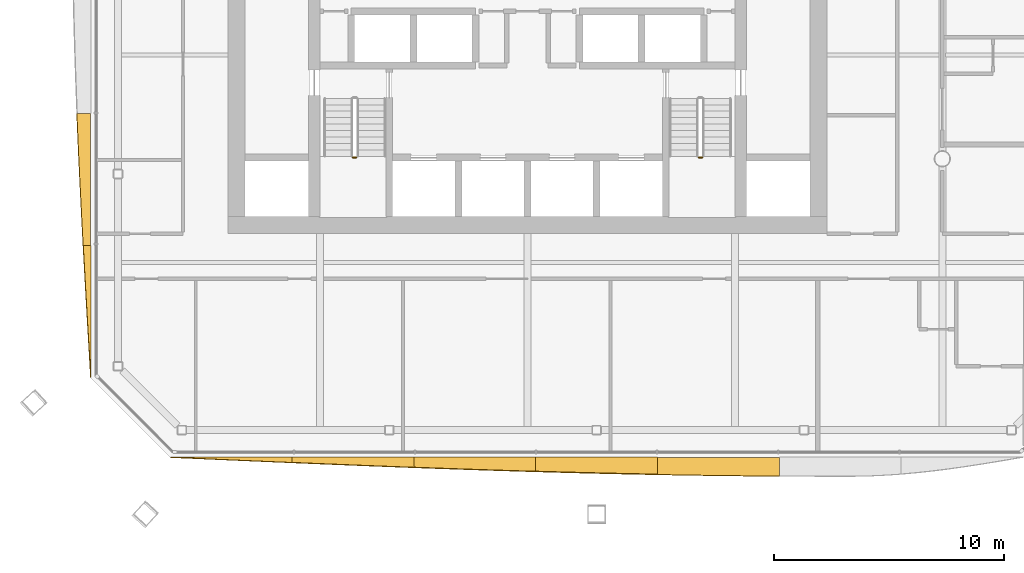
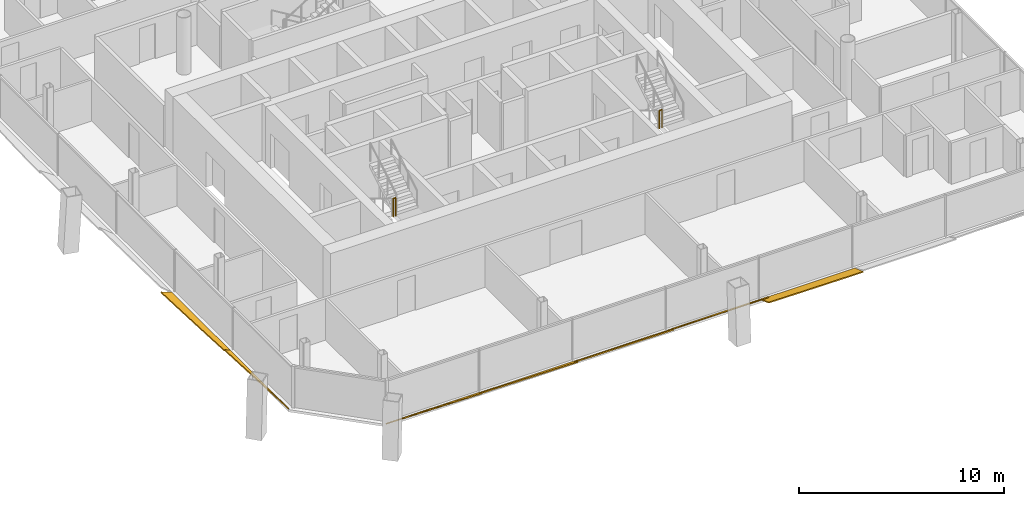
# One storey, part 15 of 17: 7 shading devices, 2 railings.
"""IFC4 building model written with IfcOpenShell, lengths in metres."""

from ifc_helpers import new_model, si_unit, direction, frame, origin, origin_2d, place, context, subcontext, project, spatial, polyline, circle, outline, extrude, material, layer, layer_set, type_object, element, save


model = new_model("IFC4")

# Units and contexts
model_context = context("Model", 3, precision=1e-05, world=origin(), true_north=direction((0.0, 1.0)))
body_context = subcontext(model_context, "Body", "Model", "MODEL_VIEW")
ifc_project = project(units=[si_unit("LENGTHUNIT", "METRE"), si_unit("AREAUNIT", "SQUARE_METRE"), si_unit("VOLUMEUNIT", "CUBIC_METRE"), si_unit("PLANEANGLEUNIT", "RADIAN"), si_unit("MASSUNIT", "GRAM", prefix="KILO")], contexts=[model_context])

# Site, building, storey
site_placement = place(None, origin())
site = spatial("IfcSite", under=ifc_project, at=site_placement, CompositionType="ELEMENT")
building_placement = place(site_placement, origin())
building = spatial("IfcBuilding", under=site, at=building_placement, Name="Tskaro Facet Tower", CompositionType="ELEMENT")
storey_placement = place(building_placement, frame((0.0, 0.0, 158.89990234375)))
storey = spatial("IfcBuildingStorey", under=building, at=storey_placement, Name="L39", CompositionType="ELEMENT", Elevation=158.89990234375)

# Shading devices
ifc_material_1 = material(Name="Bronze anodised aluminium 6063-T6", Category="aluminium")
ifc_layer = layer(ifc_material_1, 0.06005859375, Name="Bronze anodised aluminium 6063-T6")
ifc_layer_set = layer_set([ifc_layer], Name="Bronze anodised aluminium 6063-T6")
shading_device_type = type_object("IfcShadingDeviceType", Name="Bronze sun blade (FN1)", PredefinedType="USERDEFINED", material=ifc_layer_set)
shading_device_1_placement = place(storey_placement, frame((-15.49609375, -21.94873046875, 0.054443359375), z_axis=(6.086756e-06, 0.422944262667, 0.906155698895), x_axis=(0.999999999981, -2.574358e-06, -5.515548e-06)))
element("IfcShadingDevice", 1, at=shading_device_1_placement, inside=storey, type_object=shading_device_type, Name="Fin blade south 1", ObjectType="FIN", PredefinedType="USERDEFINED", context=body_context, shape_type="SweptSolid", body=[
    extrude(outline(polyline([(0.0, 0.0), (5.284667968652105, 2.2381439424153546e-21), (5.284667968842215, -0.2540528075319362), (4.624023438041074, -0.2230354990457778), (3.963623046607916, -0.19157573172226006), (3.3029785158963323, -0.16001270652211275), (2.6423339845562435, -0.12822845190328575), (1.9816894532161546, -0.09644419728445876), (1.3212890618725557, -0.06443871324695212), (0.6606445306220251, -0.032108741914136235), (0.0, 0.0)])), origin(), (0.0, 0.0, -1.0), 0.06005859375),
])
shading_device_2_placement = place(storey_placement, frame((-10.21142578125, -21.944091796875, 0.052001953125), z_axis=(-1.413503e-06, 0.500243784744, 0.865884608838), x_axis=(0.999999999999, 7.07096e-07, 1.223931e-06)))
element("IfcShadingDevice", 2, at=shading_device_2_placement, inside=storey, type_object=shading_device_type, Name="Fin blade south 2", ObjectType="FIN", PredefinedType="USERDEFINED", context=body_context, shape_type="SweptSolid", body=[
    extrude(outline(polyline([(0.0, 0.0), (5.284667968744721, 0.0), (5.284667968792844, -0.5109224008408205), (4.624023437521994, -0.4821541846783407), (3.963378906297597, -0.45284104346644133), (3.302734374820839, -0.4228608473748624), (2.642333984486973, -0.39224645845454403), (1.9816894529304852, -0.36138780987370567), (1.32104492189189, -0.32989496846412786), (0.6606445313521142, -0.2980685996147103), (6.115843968596905e-11, -0.2659087033254529), (0.0, 0.0)])), origin(), (0.0, 0.0, -1.0), 0.06005859375),
])
shading_device_3_placement = place(storey_placement, frame((-4.9267578125, -21.939697265625, 0.04931640625), z_axis=(1.4800674e-05, 0.573614610376, 0.81912531309), x_axis=(0.99999999989, -8.489883e-06, -1.2123606e-05)))
element("IfcShadingDevice", 3, at=shading_device_3_placement, inside=storey, type_object=shading_device_type, Name="Fin blade south 3", ObjectType="FIN", PredefinedType="USERDEFINED", context=body_context, shape_type="SweptSolid", body=[
    extrude(outline(polyline([(0.0, 0.0), (5.284423827546197, 4.476081089677571e-21), (5.284423829330193, -0.7560694501160357), (4.62377929601424, -0.7320285398249957), (3.963378905984678, -0.7069675563477122), (3.3027343741445576, -0.6813665667091012), (2.6420898428931303, -0.6545455221183335), (1.9816894540409562, -0.6270444287367366), (1.3210449213054976, -0.5988033474278993), (0.6604003903443181, -0.5698822173282329), (-2.9033425225711066e-10, -0.5400810566718243), (0.0, 0.0)])), origin(), (0.0, 0.0, -1.0), 0.06005859375),
])
shading_device_4_placement = place(storey_placement, frame((0.357666015625, -21.935546875, 0.046142578125), z_axis=(-3.291237e-06, 0.642793437249, 0.766039553168), x_axis=(0.999999999995, 2.115586e-06, 2.521218e-06)))
element("IfcShadingDevice", 4, at=shading_device_4_placement, inside=storey, type_object=shading_device_type, Name="Fin blade south 4", ObjectType="FIN", PredefinedType="USERDEFINED", context=body_context, shape_type="SweptSolid", body=[
    extrude(outline(polyline([(0.0, 0.0), (5.284667968721378, -1.1190719712076773e-21), (5.284667968915553, -0.975286762591078), (4.624023437443757, -0.9586566434494537), (3.963378906092337, -0.9404636894653308), (3.3029785156843525, -0.9213958073723156), (2.6423339842552447, -0.9009521118120882), (1.9816894530455433, -0.8792895347761653), (1.321289062262778, -0.8569390510066364), (0.6606445315909207, -0.8331826643861258), (1.0546935535980265e-10, -0.8085814390404922), (0.0, 0.0)])), origin(), (0.0, 0.0, -1.0), 0.06005859375),
])
shading_device_5_placement = place(storey_placement, frame((5.642333984375, -21.953369140625, 0.056396484375), z_axis=(-1.5491146e-05, 0.342066403789, 0.939675781937), x_axis=(0.99999999988, 5.299e-06, 1.4556654e-05)))
element("IfcShadingDevice", 5, at=shading_device_5_placement, inside=storey, type_object=shading_device_type, Name="Fin blade south 5", ObjectType="FIN", PredefinedType="USERDEFINED", context=body_context, shape_type="SweptSolid", body=[
    extrude(outline(polyline([(0.0, 0.0), (5.284423827490934, 0.0), (5.284423829001869, -0.8683328313162545), (4.624023437192871, -0.8628470591840072), (3.963378906379836, -0.8563601226152295), (3.302734373633865, -0.8487885093042985), (2.642333983133799, -0.8402157315568372), (1.981689453629697, -0.8306417893728453), (1.3210449221926586, -0.8199831704467004), (0.6606445307413559, -0.8080104617456753), (-1.0076843488666097e-09, -0.7952660016408467), (0.0, 0.0)])), origin(), (0.0, 0.0, -1.0), 0.06005859375),
])
shading_device_6_placement = place(storey_placement, frame((-18.953369140625, -7.042236328125, 0.056396484375), z_axis=(0.342071356684, -6.441709e-06, 0.939673979045), x_axis=(-2.203524e-06, -0.999999999979, -6.053106e-06)))
element("IfcShadingDevice", 6, at=shading_device_6_placement, inside=storey, type_object=shading_device_type, Name="Fin blade west 5", ObjectType="FIN", PredefinedType="USERDEFINED", context=body_context, shape_type="SweptSolid", body=[
    extrude(outline(polyline([(0.0, 0.0), (5.727050781131176, 0.0), (5.727050781241653, -0.3476251305413315), (5.010986328357639, -0.3884031779154939), (4.295166014886582, -0.42795064881211353), (3.5793457036970726, -0.4663299287941012), (2.863525389817714, -0.5035621458133633), (2.1477050782199045, -0.5396261719179934), (1.4318847663498948, -0.5741466954377185), (0.7160644527298754, -0.6072072298873556), (-3.095299514254893e-10, -0.6386407482372706), (0.0, 0.0)])), origin(), (0.0, 0.0, -1.0), 0.06005859375),
])
shading_device_7_placement = place(storey_placement, frame((-18.94873046875, -12.769287109375, 0.054443359375), z_axis=(0.423059243023, 2.726799e-05, 0.906102023036), x_axis=(1.1535975e-05, -0.999999999628, 2.4707581e-05)))
element("IfcShadingDevice", 7, at=shading_device_7_placement, inside=storey, type_object=shading_device_type, Name="Fin blade west 6", ObjectType="FIN", PredefinedType="USERDEFINED", context=body_context, shape_type="SweptSolid", body=[
    extrude(outline(polyline([(0.0, 0.0), (5.726806638495936, 0.0), (5.010742183786253, -0.046312081902952024), (4.2949218725178815, -0.09240294749160412), (3.5791015640659087, -0.1382725967659563), (2.8632812495818123, -0.1840389600922664), (2.147460937514792, -0.22903838852763467), (1.431640625048448, -0.273492098386361), (0.7158203121827801, -0.31740008966844546), (-4.297935753143506e-09, -0.36043786011154605), (0.0, 0.0)])), origin(), (0.0, 0.0, -1.0), 0.06005859375),
])

# Railings
ifc_material_2 = material(Name="Stainless steel", Category="steel")
railing_type = type_object("IfcRailingType", Name="RL-GUARD-1100", PredefinedType="GUARDRAIL", material=ifc_material_2)
for number, where, name in (
    (8, (-7.574951171875, -8.945068359375, 1.7001953125), "L39 ST-1 stair guard 2"),
    (9, (7.425048828125, -8.945068359375, 1.7001953125), "L39 ST-2 stair guard 2"),
):
    element("IfcRailing", number, at=place(storey_placement, frame(where)), inside=storey, type_object=railing_type, Name=name, PredefinedType="GUARDRAIL", context=body_context, shape_type="SweptSolid", body=[
        extrude(circle(Radius=0.02392578125, at=origin_2d()), frame((0.0, 0.0, 1.076171875), z_axis=(1.0, 0.0, 0.0), x_axis=(0.0, 1.0, 0.0)), (0.0, 0.0, 1.0), 0.14990234375),
        extrude(circle(Radius=0.02099609375, at=origin_2d()), origin(), (0.0, 0.0, 1.0), 1.052001953125),
        extrude(circle(Radius=0.02099609375, at=origin_2d()), frame((0.14990234375, 0.0, 0.0)), (0.0, 0.0, 1.0), 1.052001953125),
    ])

save(model, "model.ifc")
